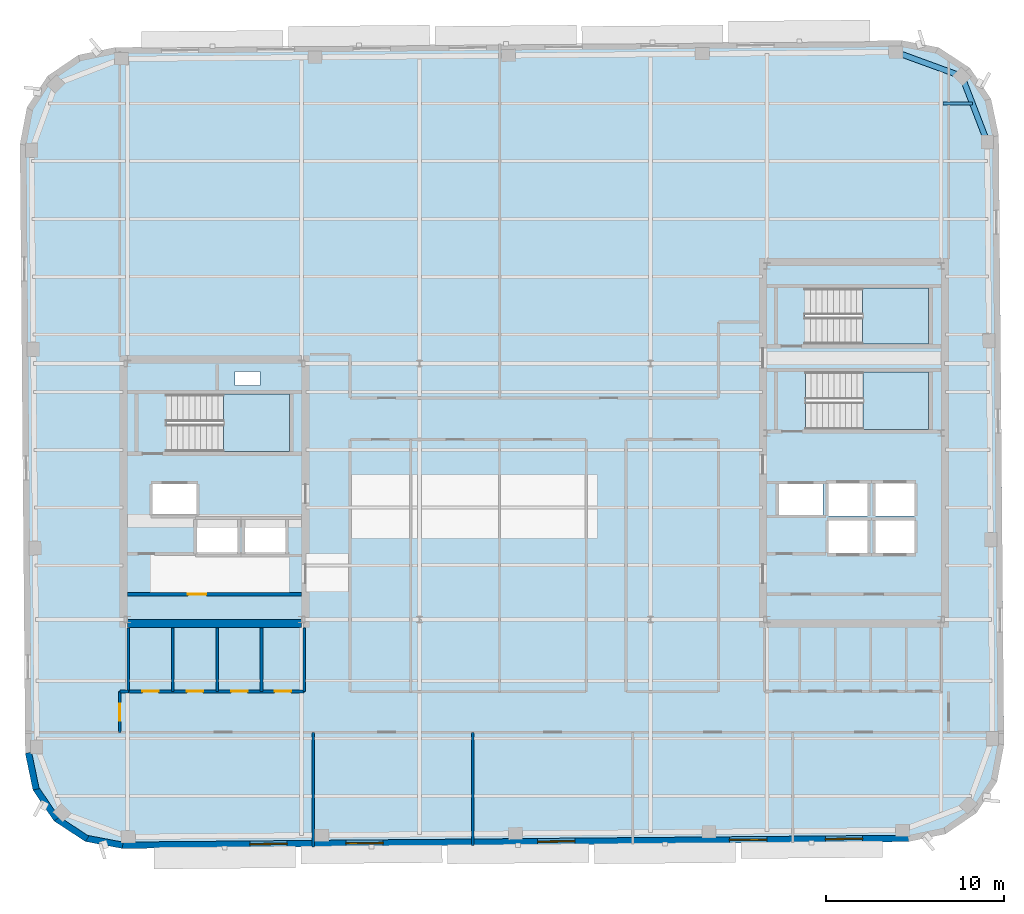
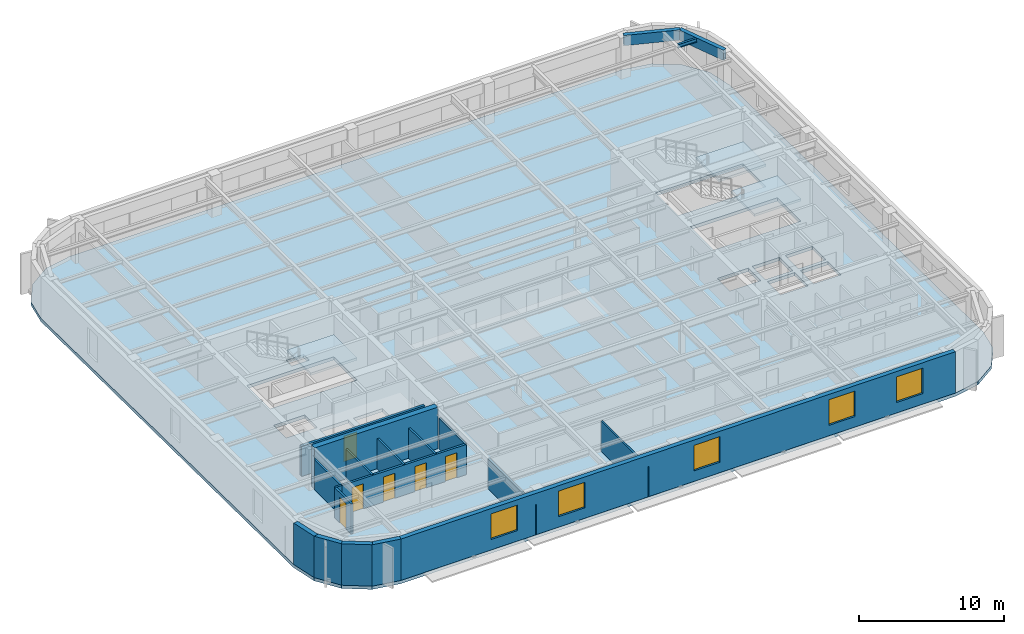
# One storey, part 6 of 15: 17 walls, 6 doors, 5 windows, 4 slabs, 3 beams, 11 openings, 3 elements without a shape of their own.
"""IFC4 building model written with IfcOpenShell, lengths in metres."""

from ifc_helpers import new_model, si_unit, direction, frame, frame_2d, origin, origin_2d, place, context, subcontext, project, spatial, polyline, rectangle, hollow_rectangle, i_section, outline, extrude, material, layer, layer_set, material_profile, profile_set, type_object, element, fill, aggregate, save


model = new_model("IFC4")

# Units and contexts
model_context = context("Model", 3, precision=1e-05, world=origin(), true_north=direction((0.0, 1.0)))
body_context = subcontext(model_context, "Body", "Model", "MODEL_VIEW")
ifc_project = project(units=[si_unit("LENGTHUNIT", "METRE"), si_unit("AREAUNIT", "SQUARE_METRE"), si_unit("VOLUMEUNIT", "CUBIC_METRE"), si_unit("PLANEANGLEUNIT", "RADIAN"), si_unit("MASSUNIT", "GRAM", prefix="KILO")], contexts=[model_context])

# Site, building, storey
site_placement = place(None, origin())
site = spatial("IfcSite", under=ifc_project, at=site_placement, CompositionType="ELEMENT")
building_placement = place(site_placement, origin())
building = spatial("IfcBuilding", under=site, at=building_placement, Name="Kolvaren Arena Tower", CompositionType="ELEMENT")
storey_placement = place(building_placement, frame((0.0, 0.0, 282.39990234375)))
storey = spatial("IfcBuildingStorey", under=building, at=storey_placement, Name="L69", CompositionType="ELEMENT", Elevation=282.39990234375)

# Beams
ifc_material_1 = material(Name="Steel CSA G40.21 350W", Category="steel")
ifc_material_profile_1 = material_profile(ifc_material_1, i_section(OverallWidth=0.1669921875, OverallDepth=0.31689453125, WebThickness=0.007568359375, FlangeThickness=0.01318359375, FilletRadius=0.010009765625, at=origin_2d()), Name="W310x52")
ifc_profile_set_1 = profile_set([ifc_material_profile_1], Name="Steel CSA G40.21 350W")
beam_type_1 = type_object("IfcBeamType", Name="JOIST-02", PredefinedType="JOIST", material=ifc_profile_set_1)
beam_placement = place(storey_placement, frame((60.464111328125, 48.5, 3.321533203125), z_axis=(1.0, 0.0, 0.0), x_axis=(0.0, 1.0, 0.0)))
element("IfcBeam", 1, at=beam_placement, inside=storey, type_object=beam_type_1, Name="Composite Floor Joist (L69)", PredefinedType="JOIST", context=body_context, shape_type="SweptSolid", body=[
    extrude(i_section(OverallWidth=0.1669921875, OverallDepth=0.31689453125, WebThickness=0.007568359375, FlangeThickness=0.01318359375, FilletRadius=0.010009765625, at=origin_2d()), origin(), (0.0, 0.0, 1.0), 1.654296875),
])
ifc_material_2 = material(Name="Steel CSA G40.21 350WT", Category="steel")
ifc_material_profile_2 = material_profile(ifc_material_2, hollow_rectangle(XDim=0.320068359375, YDim=0.860107421875, WallThickness=0.01806640625, at=origin_2d()), Name="HSS 860x320x18")
ifc_profile_set_2 = profile_set([ifc_material_profile_2], Name="Steel CSA G40.21 350WT")
beam_type_2 = type_object("IfcBeamType", Name="SPAND-02", PredefinedType="SPANDREL", material=ifc_profile_set_2)
for number, where, z_axis, x_axis, name in (
    (2, (62.952392578125, 46.333984375, 3.050048828125), (-0.359383792094, 0.933189846698, 0.0), (-0.933189846698, -0.359383792094, 0.0), "Perimeter Spandrel Beam (L69)"),
    (3, (61.52880859375, 50.030517578125, 3.050048828125), (-0.939313819882, 0.343059102458, 0.0), (-0.343059102458, -0.939313819882, 0.0), "Perimeter Spandrel Beam (L69)"),
):
    element("IfcBeam", number, at=place(storey_placement, frame(where, z_axis=z_axis, x_axis=x_axis)), inside=storey, type_object=beam_type_2, Name=name, PredefinedType="SPANDREL", context=body_context, shape_type="SweptSolid", body=[
        extrude(hollow_rectangle(XDim=0.320068359375, YDim=0.860107421875, WallThickness=0.01806640625, at=origin_2d()), origin(), (0.0, 0.0, 1.0), 3.961181640625),
    ])

# Stair, slab
ifc_material_3 = material(Name="Concrete 45 MPa", Category="concrete")
stair_type_1 = type_object("IfcStairType", Name="STAIR-CORE-165", PredefinedType="HALF_TURN_STAIR", material=ifc_material_3)
stair_1_placement = place(storey_placement, origin())
stair_1 = element("IfcStair", 4, at=stair_1_placement, inside=storey, type_object=stair_type_1, Name="L69 ST-W1", PredefinedType="HALF_TURN_STAIR")
ifc_layer_1 = layer(ifc_material_3, 0.199951171875)
ifc_layer_set_1 = layer_set([ifc_layer_1], Name="Concrete 45 MPa")
slab_type_1 = type_object("IfcSlabType", Name="SLAB-LAND", PredefinedType="LANDING", material=ifc_layer_set_1)
slab_1_placement = place(storey_placement, frame((0.0, 0.0, 1.675048828125)))
slab_1 = element("IfcSlab", 5, at=slab_1_placement, type_object=slab_type_1, Name="ST-W1 landing 1", PredefinedType="LANDING", context=body_context, shape_type="SweptSolid", body=[
    extrude(outline(polyline([(19.9599609375, 28.89990234375), (23.659912109375, 28.89990234375), (23.659912109375, 32.1298828125), (19.9599609375, 32.1298828125), (19.9599609375, 28.89990234375)])), origin(), (0.0, 0.0, 1.0), 0.199951171875),
])
aggregate(stair_1, [slab_1])

stair_2_placement = place(storey_placement, origin())
stair_2 = element("IfcStair", 6, at=stair_2_placement, inside=storey, type_object=stair_type_1, Name="L69 ST-E1", PredefinedType="HALF_TURN_STAIR")
slab_2_placement = place(storey_placement, frame((0.0, 0.0, 1.675048828125)))
slab_2 = element("IfcSlab", 7, at=slab_2_placement, type_object=slab_type_1, Name="ST-E1 landing 1", PredefinedType="LANDING", context=body_context, shape_type="SweptSolid", body=[
    extrude(outline(polyline([(55.9599609375, 30.14990234375), (59.659912109375, 30.14990234375), (59.659912109375, 33.3798828125), (55.9599609375, 33.3798828125), (55.9599609375, 30.14990234375)])), origin(), (0.0, 0.0, 1.0), 0.199951171875),
])
aggregate(stair_2, [slab_2])

stair_type_2 = type_object("IfcStairType", Name="STAIR-CORE-150", PredefinedType="HALF_TURN_STAIR", material=ifc_material_3)
stair_3_placement = place(storey_placement, origin())
stair_3 = element("IfcStair", 8, at=stair_3_placement, inside=storey, type_object=stair_type_2, Name="L69 ST-E2", PredefinedType="HALF_TURN_STAIR")
slab_3_placement = place(storey_placement, frame((0.0, 0.0, 1.675048828125)))
slab_3 = element("IfcSlab", 9, at=slab_3_placement, type_object=slab_type_1, Name="ST-E2 landing 1", PredefinedType="LANDING", context=body_context, shape_type="SweptSolid", body=[
    extrude(outline(polyline([(55.919921875, 34.949951171875), (59.659912109375, 34.949951171875), (59.659912109375, 38.10009765625), (55.919921875, 38.10009765625), (55.919921875, 34.949951171875)])), origin(), (0.0, 0.0, 1.0), 0.199951171875),
])
aggregate(stair_3, [slab_3])

# Slab
ifc_layer_2 = layer(ifc_material_3, 0.27001953125)
ifc_layer_set_2 = layer_set([ifc_layer_2], Name="Concrete 45 MPa")
slab_type_2 = type_object("IfcSlabType", Name="SLAB-OFF2", PredefinedType="FLOOR", material=ifc_layer_set_2)
slab_4_placement = place(storey_placement, frame((0.0, 0.0, -0.27001953125)))
element("IfcSlab", 10, at=slab_4_placement, inside=storey, type_object=slab_type_2, Name="L69 Primary Structural Slab", PredefinedType="FLOOR", context=body_context, shape_type="SweptSolid", body=[
    extrude(outline(polyline([(58.5458984375, 6.944091796875), (60.60888671875, 7.373291015625), (62.350341796875, 8.55908203125), (63.505615234375, 10.321044921875), (63.898681640625, 12.39111328125), (63.599365234375, 46.689697265625), (63.170166015625, 48.752685546875), (61.984375, 50.494140625), (60.222412109375, 51.6494140625), (58.15234375, 52.04248046875), (13.85400390625, 51.65576171875), (11.791259765625, 51.226806640625), (10.049560546875, 50.041015625), (8.894287109375, 48.27880859375), (8.50146484375, 46.208984375), (8.80078125, 11.91015625), (9.229736328125, 9.847412109375), (10.41552734375, 8.105712890625), (12.177490234375, 6.95068359375), (14.24755859375, 6.5576171875), (58.5458984375, 6.944091796875)]), holes=[polyline([(20.739990234375, 23.135009765625), (18.4599609375, 23.135009765625), (18.4599609375, 25.06494140625), (20.739990234375, 25.06494140625), (20.739990234375, 23.135009765625)]), polyline([(21.159912109375, 23.135009765625), (21.159912109375, 25.06494140625), (23.43994140625, 25.06494140625), (23.43994140625, 23.135009765625), (21.159912109375, 23.135009765625)]), polyline([(56.2099609375, 23.18505859375), (54.030029296875, 23.18505859375), (54.030029296875, 25.014892578125), (56.2099609375, 25.014892578125), (56.2099609375, 23.18505859375)]), polyline([(56.669921875, 23.18505859375), (56.669921875, 25.014892578125), (58.85009765625, 25.014892578125), (58.85009765625, 23.18505859375), (56.669921875, 23.18505859375)]), polyline([(54.030029296875, 25.284912109375), (54.030029296875, 27.114990234375), (56.2099609375, 27.114990234375), (56.2099609375, 25.284912109375), (54.030029296875, 25.284912109375)]), polyline([(58.85009765625, 25.284912109375), (56.669921875, 25.284912109375), (56.669921875, 27.114990234375), (58.85009765625, 27.114990234375), (58.85009765625, 25.284912109375)]), polyline([(15.9599609375, 25.3349609375), (15.9599609375, 27.06494140625), (18.43994140625, 27.06494140625), (18.43994140625, 25.3349609375), (15.9599609375, 25.3349609375)]), polyline([(53.699951171875, 25.3349609375), (51.219970703125, 25.3349609375), (51.219970703125, 27.06494140625), (53.699951171875, 27.06494140625), (53.699951171875, 25.3349609375)]), polyline([(16.735107421875, 28.89990234375), (16.735107421875, 32.1298828125), (23.659912109375, 32.1298828125), (23.659912109375, 28.89990234375), (16.735107421875, 28.89990234375)]), polyline([(52.735107421875, 30.14990234375), (52.735107421875, 33.3798828125), (59.659912109375, 33.3798828125), (59.659912109375, 30.14990234375), (52.735107421875, 30.14990234375)]), polyline([(20.60009765625, 32.6201171875), (20.60009765625, 33.39990234375), (22.0, 33.39990234375), (22.0, 32.6201171875), (20.60009765625, 32.6201171875)]), polyline([(52.695068359375, 34.949951171875), (52.695068359375, 38.10009765625), (59.659912109375, 38.10009765625), (59.659912109375, 34.949951171875), (52.695068359375, 34.949951171875)])]), origin(), (0.0, 0.0, 1.0), 0.27001953125),
])

# Wall, opening, door
ifc_material_4 = material(Name="Gypsum board acoustic assembly", Category="gypsum")
ifc_layer_3 = layer(ifc_material_4, 0.159912109375)
ifc_layer_set_3 = layer_set([ifc_layer_3], Name="Gypsum board acoustic assembly")
wall_type_1 = type_object("IfcWallType", Name="CORR-160", PredefinedType="PARTITIONING", material=ifc_layer_set_3)
wall_1_placement = place(storey_placement, frame((14.1201171875, 13.10009765625, 0.0), z_axis=(0.0, 0.0, 1.0), x_axis=(0.0, 1.0, 0.0)))
wall_1 = element("IfcWall", 11, at=wall_1_placement, inside=storey, type_object=wall_type_1, Name="Interior Partition Wall (L69)", PredefinedType="PARTITIONING", context=body_context, shape_type="SweptSolid", body=[
    extrude(rectangle(XDim=2.2998046875, YDim=0.159912109375, at=frame_2d((1.14990234375, 0.0))), origin(), (0.0, 0.0, 1.0), 2.5400390625),
])
opening_1_placement = place(wall_1_placement, frame((0.64990234375, 0.0, 0.0)))
opening_1 = element("IfcOpeningElement", 12, at=opening_1_placement, cuts=wall_1, Name="Opening D05", PredefinedType="OPENING", context=body_context, shape_type="SweptSolid", body=[
    extrude(rectangle(XDim=0.949951171875, YDim=2.14990234375, at=frame_2d((0.47509765625, 1.074951171875))), frame((0.0, 0.08984375, 0.0), z_axis=(0.0, -1.0, 0.0), x_axis=(1.0, 0.0, 0.0)), (0.0, 0.0, 1.0), 0.179931640625),
])
ifc_material_5 = material(Name="Solid-core oak acoustic office door", Category="wood")
door_type_1 = type_object("IfcDoorType", Name="DOOR-OF-095", OperationType="NOTDEFINED", PredefinedType="DOOR", material=ifc_material_5)
door_1_placement = place(opening_1_placement, origin())
door_1 = element("IfcDoor", 13, at=door_1_placement, inside=storey, type_object=door_type_1, Name="West Wing Office Door (L69)", OperationType="SINGLE_SWING_LEFT", OverallHeight=2.14990234375, OverallWidth=0.949951171875, PredefinedType="DOOR", context=body_context, shape_type="SweptSolid", body=[
    extrude(rectangle(XDim=0.949951171875, YDim=2.14990234375, at=frame_2d((0.47509765625, 1.074951171875))), frame((0.0, 0.02490234375, 0.0), z_axis=(0.0, -1.0, 0.0), x_axis=(1.0, 0.0, 0.0)), (0.0, 0.0, 1.0), 0.050048828125),
])
fill(opening_1, door_1)

# Walls
wall_2_placement = place(storey_placement, frame((14.1201171875, 15.39990234375, 0.0), z_axis=(0.0, 0.0, 1.0), x_axis=(1.0, 0.0, 0.0)))
element("IfcWall", 14, at=wall_2_placement, inside=storey, type_object=wall_type_1, Name="Interior Partition Wall (L69)", PredefinedType="PARTITIONING", context=body_context, shape_type="SweptSolid", body=[
    extrude(rectangle(XDim=0.5, YDim=0.159912109375, at=frame_2d((0.25, 0.0))), origin(), (0.0, 0.0, 1.0), 2.5400390625),
])
ifc_material_6 = material(Name="Concrete 55 MPa", Category="concrete")
ifc_layer_4 = layer(ifc_material_6, 0.449951171875)
ifc_layer_set_4 = layer_set([ifc_layer_4], Name="Concrete 55 MPa")
wall_type_2 = type_object("IfcWallType", Name="CWALL-450", PredefinedType="SHEAR", material=ifc_layer_set_4)
wall_3_placement = place(storey_placement, frame((14.550048828125, 19.22509765625, -0.27001953125), z_axis=(0.0, 0.0, 1.0), x_axis=(1.0, 0.0, 0.0)))
element("IfcWall", 15, at=wall_3_placement, inside=storey, type_object=wall_type_2, Name="Core Shear Wall WC-SOUTH (L69)", PredefinedType="SHEAR", context=body_context, shape_type="SweptSolid", body=[
    extrude(rectangle(XDim=9.800048828125, YDim=0.449951171875, at=frame_2d((4.89990234375, 0.0))), origin(), (0.0, 0.0, 1.0), 3.75),
])
ifc_material_7 = material(Name="Precast concrete C50/60", Category="concrete")
ifc_layer_5 = layer(ifc_material_7, 0.360107421875)
ifc_layer_set_5 = layer_set([ifc_layer_5], Name="Precast concrete C50/60")
wall_type_3 = type_object("IfcWallType", Name="EXT-PIER2", PredefinedType="SOLIDWALL", material=ifc_layer_set_5)
wall_4_placement = place(storey_placement, frame((9.406005859375, 9.884033203125, 0.0), z_axis=(0.0, 0.0, 1.0), x_axis=(-0.203685893209, 0.979036289883, 0.0)))
element("IfcWall", 16, at=wall_4_placement, inside=storey, type_object=wall_type_3, Name="Exterior Precast Masonry-Frame Wall (L69)", PredefinedType="SOLIDWALL", context=body_context, shape_type="SweptSolid", body=[
    extrude(rectangle(XDim=2.107177734375, YDim=0.360107421875, at=frame_2d((1.0537109375, 0.0))), origin(), (0.0, 0.0, 1.0), 3.47998046875),
])
for number, where, z_axis, x_axis, name in (
    (17, (10.564453125, 8.20703125, 0.0), (0.0, 0.0, 1.0), (-0.56277581689, 0.826609569219, 0.0), "Exterior Precast Masonry-Frame Wall (L69)"),
    (18, (12.2763671875, 7.10107421875, 0.0), (0.0, 0.0, 1.0), (-0.836268756678, 0.548319766745, 0.0), "Exterior Precast Masonry-Frame Wall (L69)"),
):
    element("IfcWall", number, at=place(storey_placement, frame(where, z_axis=z_axis, x_axis=x_axis)), inside=storey, type_object=wall_type_3, Name=name, PredefinedType="SOLIDWALL", context=body_context, shape_type="SweptSolid", body=[
        extrude(rectangle(XDim=2.10693359375, YDim=0.360107421875, at=frame_2d((1.053466796875, 0.0))), origin(), (0.0, 0.0, 1.0), 3.47998046875),
    ])
wall_5_placement = place(storey_placement, frame((14.28125, 6.734375, 0.0), z_axis=(0.0, 0.0, 1.0), x_axis=(-0.982445905584, 0.186547695246, 0.0)))
element("IfcWall", 19, at=wall_5_placement, inside=storey, type_object=wall_type_3, Name="Exterior Precast Masonry-Frame Wall (L69)", PredefinedType="SOLIDWALL", context=body_context, shape_type="SweptSolid", body=[
    extrude(rectangle(XDim=2.107177734375, YDim=0.360107421875, at=frame_2d((1.0537109375, 0.0))), origin(), (0.0, 0.0, 1.0), 3.47998046875),
])

# Wall, openings, windows
wall_6_placement = place(storey_placement, frame((58.544189453125, 7.124267578125, 0.0), z_axis=(0.0, 0.0, 1.0), x_axis=(-0.999961896442, -0.008729585516, 0.0)))
wall_6 = element("IfcWall", 20, at=wall_6_placement, inside=storey, type_object=wall_type_3, Name="Exterior Precast Masonry-Frame Wall (L69)", PredefinedType="SOLIDWALL", context=body_context, shape_type="SweptSolid", body=[
    extrude(rectangle(XDim=44.2998046875, YDim=0.360107421875, at=frame_2d((22.14990234375, 0.0))), origin(), (0.0, 0.0, 1.0), 3.47998046875),
])
opening_2_placement = place(wall_6_placement, frame((2.60009765625, 0.0, 0.8798828125)))
opening_2 = element("IfcOpeningElement", 21, at=opening_2_placement, cuts=wall_6, Name="Opening W01", PredefinedType="OPENING", context=body_context, shape_type="SweptSolid", body=[
    extrude(rectangle(XDim=2.10009765625, YDim=2.14990234375, at=frame_2d((1.050048828125, 1.074951171875))), frame((0.0, 0.18994140625, 0.0), z_axis=(0.0, -1.0, 0.0), x_axis=(1.0, 0.0, 0.0)), (0.0, 0.0, 1.0), 0.380126953125),
])
opening_3_placement = place(wall_6_placement, frame((8.0, 0.0, 0.8798828125)))
opening_3 = element("IfcOpeningElement", 22, at=opening_3_placement, cuts=wall_6, Name="Opening W01", PredefinedType="OPENING", context=body_context, shape_type="SweptSolid", body=[
    extrude(rectangle(XDim=2.10009765625, YDim=2.14990234375, at=frame_2d((1.050048828125, 1.074951171875))), frame((0.0, 0.18994140625, 0.0), z_axis=(0.0, -1.0, 0.0), x_axis=(1.0, 0.0, 0.0)), (0.0, 0.0, 1.0), 0.380126953125),
])
opening_4_placement = place(wall_6_placement, frame((18.800048828125, 0.0, 0.8798828125)))
opening_4 = element("IfcOpeningElement", 23, at=opening_4_placement, cuts=wall_6, Name="Opening W01", PredefinedType="OPENING", context=body_context, shape_type="SweptSolid", body=[
    extrude(rectangle(XDim=2.10009765625, YDim=2.14990234375, at=frame_2d((1.050048828125, 1.074951171875))), frame((0.0, 0.18994140625, 0.0), z_axis=(0.0, -1.0, 0.0), x_axis=(1.0, 0.0, 0.0)), (0.0, 0.0, 1.0), 0.380126953125),
])
opening_5_placement = place(wall_6_placement, frame((29.60009765625, 0.0, 0.8798828125)))
opening_5 = element("IfcOpeningElement", 24, at=opening_5_placement, cuts=wall_6, Name="Opening W01", PredefinedType="OPENING", context=body_context, shape_type="SweptSolid", body=[
    extrude(rectangle(XDim=2.10009765625, YDim=2.14990234375, at=frame_2d((1.050048828125, 1.074951171875))), frame((0.0, 0.18994140625, 0.0), z_axis=(0.0, -1.0, 0.0), x_axis=(1.0, 0.0, 0.0)), (0.0, 0.0, 1.0), 0.380126953125),
])
opening_6_placement = place(wall_6_placement, frame((35.0, 0.0, 0.8798828125)))
opening_6 = element("IfcOpeningElement", 25, at=opening_6_placement, cuts=wall_6, Name="Opening W01", PredefinedType="OPENING", context=body_context, shape_type="SweptSolid", body=[
    extrude(rectangle(XDim=2.10009765625, YDim=2.14990234375, at=frame_2d((1.050048828125, 1.074951171875))), frame((0.0, 0.18994140625, 0.0), z_axis=(0.0, -1.0, 0.0), x_axis=(1.0, 0.0, 0.0)), (0.0, 0.0, 1.0), 0.380126953125),
])
ifc_material_8 = material(Name="Triple-glazed low-E aluminium window", Category="aluminium")
window_type = type_object("IfcWindowType", Name="WIN-OFF-A", PartitioningType="DOUBLE_PANEL_VERTICAL", PredefinedType="WINDOW", material=ifc_material_8)
window_1_placement = place(opening_2_placement, origin())
window_1 = element("IfcWindow", 26, at=window_1_placement, inside=storey, type_object=window_type, Name="Punched Precast-Pier Window (L69)", OverallHeight=2.14990234375, OverallWidth=2.10009765625, PartitioningType="DOUBLE_PANEL_VERTICAL", PredefinedType="WINDOW", context=body_context, shape_type="SweptSolid", body=[
    extrude(rectangle(XDim=2.10009765625, YDim=2.14990234375, at=frame_2d((1.050048828125, 1.074951171875))), frame((0.0, 0.030029296875, 0.0), z_axis=(0.0, -1.0, 0.0), x_axis=(1.0, 0.0, 0.0)), (0.0, 0.0, 1.0), 0.06005859375),
])
fill(opening_2, window_1)
window_2_placement = place(opening_3_placement, origin())
window_2 = element("IfcWindow", 27, at=window_2_placement, inside=storey, type_object=window_type, Name="Punched Precast-Pier Window (L69)", OverallHeight=2.14990234375, OverallWidth=2.10009765625, PartitioningType="DOUBLE_PANEL_VERTICAL", PredefinedType="WINDOW", context=body_context, shape_type="SweptSolid", body=[
    extrude(rectangle(XDim=2.10009765625, YDim=2.14990234375, at=frame_2d((1.050048828125, 1.074951171875))), frame((0.0, 0.030029296875, 0.0), z_axis=(0.0, -1.0, 0.0), x_axis=(1.0, 0.0, 0.0)), (0.0, 0.0, 1.0), 0.06005859375),
])
fill(opening_3, window_2)
window_3_placement = place(opening_4_placement, origin())
window_3 = element("IfcWindow", 28, at=window_3_placement, inside=storey, type_object=window_type, Name="Punched Precast-Pier Window (L69)", OverallHeight=2.14990234375, OverallWidth=2.10009765625, PartitioningType="DOUBLE_PANEL_VERTICAL", PredefinedType="WINDOW", context=body_context, shape_type="SweptSolid", body=[
    extrude(rectangle(XDim=2.10009765625, YDim=2.14990234375, at=frame_2d((1.050048828125, 1.074951171875))), frame((0.0, 0.030029296875, 0.0), z_axis=(0.0, -1.0, 0.0), x_axis=(1.0, 0.0, 0.0)), (0.0, 0.0, 1.0), 0.06005859375),
])
fill(opening_4, window_3)
window_4_placement = place(opening_5_placement, origin())
window_4 = element("IfcWindow", 29, at=window_4_placement, inside=storey, type_object=window_type, Name="Punched Precast-Pier Window (L69)", OverallHeight=2.14990234375, OverallWidth=2.10009765625, PartitioningType="DOUBLE_PANEL_VERTICAL", PredefinedType="WINDOW", context=body_context, shape_type="SweptSolid", body=[
    extrude(rectangle(XDim=2.10009765625, YDim=2.14990234375, at=frame_2d((1.050048828125, 1.074951171875))), frame((0.0, 0.030029296875, 0.0), z_axis=(0.0, -1.0, 0.0), x_axis=(1.0, 0.0, 0.0)), (0.0, 0.0, 1.0), 0.06005859375),
])
fill(opening_5, window_4)
window_5_placement = place(opening_6_placement, origin())
window_5 = element("IfcWindow", 30, at=window_5_placement, inside=storey, type_object=window_type, Name="Punched Precast-Pier Window (L69)", OverallHeight=2.14990234375, OverallWidth=2.10009765625, PartitioningType="DOUBLE_PANEL_VERTICAL", PredefinedType="WINDOW", context=body_context, shape_type="SweptSolid", body=[
    extrude(rectangle(XDim=2.10009765625, YDim=2.14990234375, at=frame_2d((1.050048828125, 1.074951171875))), frame((0.0, 0.030029296875, 0.0), z_axis=(0.0, -1.0, 0.0), x_axis=(1.0, 0.0, 0.0)), (0.0, 0.0, 1.0), 0.06005859375),
])
fill(opening_6, window_5)

# Wall, opening, door
ifc_material_9 = material(Name="Concrete 40 MPa", Category="concrete")
ifc_layer_6 = layer(ifc_material_9, 0.199951171875)
ifc_layer_set_6 = layer_set([ifc_layer_6], Name="Concrete 40 MPa")
wall_type_4 = type_object("IfcWallType", Name="LOBBY-200", PredefinedType="SOLIDWALL", material=ifc_layer_set_6)
wall_7_placement = place(storey_placement, frame((14.550048828125, 20.8798828125, 0.0), z_axis=(0.0, 0.0, 1.0), x_axis=(1.0, 0.0, 0.0)))
wall_7 = element("IfcWall", 31, at=wall_7_placement, inside=storey, type_object=wall_type_4, Name="Core Shaft Wall (L69)", PredefinedType="SOLIDWALL", context=body_context, shape_type="SweptSolid", body=[
    extrude(rectangle(XDim=9.800048828125, YDim=0.199951171875, at=frame_2d((4.89990234375, 0.0))), origin(), (0.0, 0.0, 1.0), 2.5400390625),
])
opening_7_placement = place(wall_7_placement, frame((3.39990234375, 0.0, 0.0)))
opening_7 = element("IfcOpeningElement", 32, at=opening_7_placement, cuts=wall_7, Name="Opening D04", PredefinedType="OPENING", context=body_context, shape_type="SweptSolid", body=[
    extrude(rectangle(XDim=1.050048828125, YDim=2.14990234375, at=frame_2d((0.52490234375, 1.074951171875))), frame((0.0, 0.10986328125, 0.0), z_axis=(0.0, -1.0, 0.0), x_axis=(1.0, 0.0, 0.0)), (0.0, 0.0, 1.0), 0.219970703125),
])
ifc_material_10 = material(Name="Fire-rated steel lobby door", Category="steel")
door_type_2 = type_object("IfcDoorType", Name="DOOR-FF-105", OperationType="NOTDEFINED", PredefinedType="DOOR", material=ifc_material_10)
door_2_placement = place(opening_7_placement, origin())
door_2 = element("IfcDoor", 33, at=door_2_placement, inside=storey, type_object=door_type_2, Name="West IT Room Fire Door (L69)", OperationType="SINGLE_SWING_LEFT", OverallHeight=2.14990234375, OverallWidth=1.050048828125, PredefinedType="DOOR", context=body_context, shape_type="SweptSolid", body=[
    extrude(rectangle(XDim=1.050048828125, YDim=2.14990234375, at=frame_2d((0.52490234375, 1.074951171875))), frame((0.0, 0.02490234375, 0.0), z_axis=(0.0, -1.0, 0.0), x_axis=(1.0, 0.0, 0.0)), (0.0, 0.0, 1.0), 0.050048828125),
])
fill(opening_7, door_2)

# Walls
ifc_material_11 = material(Name="Gypsum board partition assembly", Category="gypsum")
ifc_layer_7 = layer(ifc_material_11, 0.135009765625)
ifc_layer_set_7 = layer_set([ifc_layer_7], Name="Gypsum board partition assembly")
wall_type_5 = type_object("IfcWallType", Name="PART-135", PredefinedType="PARTITIONING", material=ifc_layer_set_7)
wall_8_placement = place(storey_placement, frame((25.0, 6.6513671875, 0.0), z_axis=(0.0, 0.0, 1.0), x_axis=(0.0, 1.0, 0.0)))
element("IfcWall", 34, at=wall_8_placement, inside=storey, type_object=wall_type_5, Name="Interior Partition Wall (L69)", PredefinedType="PARTITIONING", context=body_context, shape_type="SweptSolid", body=[
    extrude(rectangle(XDim=6.44873046875, YDim=0.135009765625, at=frame_2d((3.224365234375, 0.0))), origin(), (0.0, 0.0, 1.0), 2.5400390625),
])
wall_9_placement = place(storey_placement, frame((34.0, 6.72998046875, 0.0), z_axis=(0.0, 0.0, 1.0), x_axis=(0.0, 1.0, 0.0)))
element("IfcWall", 35, at=wall_9_placement, inside=storey, type_object=wall_type_5, Name="Interior Partition Wall (L69)", PredefinedType="PARTITIONING", context=body_context, shape_type="SweptSolid", body=[
    extrude(rectangle(XDim=6.3701171875, YDim=0.135009765625, at=frame_2d((3.18505859375, 0.0))), origin(), (0.0, 0.0, 1.0), 2.5400390625),
])
ifc_material_12 = material(Name="Moisture-resistant gypsum assembly", Category="gypsum")
ifc_layer_8 = layer(ifc_material_12, 0.14990234375)
ifc_layer_set_8 = layer_set([ifc_layer_8], Name="Moisture-resistant gypsum assembly")
wall_type_6 = type_object("IfcWallType", Name="WETW-150", PredefinedType="PARTITIONING", material=ifc_layer_set_8)
for number, where, z_axis, x_axis, name in (
    (36, (17.10009765625, 15.39990234375, 0.0), (0.0, 0.0, 1.0), (0.0, 1.0, 0.0), "Interior Partition Wall (L69)"),
    (37, (19.60009765625, 15.39990234375, 0.0), (0.0, 0.0, 1.0), (0.0, 1.0, 0.0), "Interior Partition Wall (L69)"),
    (38, (22.10009765625, 15.39990234375, 0.0), (0.0, 0.0, 1.0), (0.0, 1.0, 0.0), "Interior Partition Wall (L69)"),
):
    element("IfcWall", number, at=place(storey_placement, frame(where, z_axis=z_axis, x_axis=x_axis)), inside=storey, type_object=wall_type_6, Name=name, PredefinedType="PARTITIONING", context=body_context, shape_type="SweptSolid", body=[
        extrude(rectangle(XDim=3.580078125, YDim=0.14990234375, at=frame_2d((1.7900390625, 0.0))), origin(), (0.0, 0.0, 1.0), 2.5400390625),
    ])

# Wall, openings, doors
wall_10_placement = place(storey_placement, frame((14.60009765625, 15.39990234375, 0.0), z_axis=(0.0, 0.0, 1.0), x_axis=(1.0, 0.0, 0.0)))
wall_10 = element("IfcWall", 39, at=wall_10_placement, inside=storey, type_object=wall_type_6, Name="Interior Partition Wall (L69)", PredefinedType="PARTITIONING", context=body_context, shape_type="SweptSolid", body=[
    extrude(rectangle(XDim=9.89990234375, YDim=0.179931640625, at=frame_2d((4.949951171875, 0.0))), origin(), (0.0, 0.0, 1.0), 2.5400390625),
])
opening_8_placement = place(wall_10_placement, frame((0.7900390625, 0.0, 0.0)))
opening_8 = element("IfcOpeningElement", 40, at=opening_8_placement, cuts=wall_10, Name="Opening D07", PredefinedType="OPENING", context=body_context, shape_type="SweptSolid", body=[
    extrude(rectangle(XDim=0.919921875, YDim=2.10009765625, at=frame_2d((0.4599609375, 1.050048828125))), frame((0.0, 0.099853515625, 0.0), z_axis=(0.0, -1.0, 0.0), x_axis=(1.0, 0.0, 0.0)), (0.0, 0.0, 1.0), 0.199951171875),
])
opening_9_placement = place(wall_10_placement, frame((3.2900390625, 0.0, 0.0)))
opening_9 = element("IfcOpeningElement", 41, at=opening_9_placement, cuts=wall_10, Name="Opening D07", PredefinedType="OPENING", context=body_context, shape_type="SweptSolid", body=[
    extrude(rectangle(XDim=0.919921875, YDim=2.10009765625, at=frame_2d((0.4599609375, 1.050048828125))), frame((0.0, 0.099853515625, 0.0), z_axis=(0.0, -1.0, 0.0), x_axis=(1.0, 0.0, 0.0)), (0.0, 0.0, 1.0), 0.199951171875),
])
opening_10_placement = place(wall_10_placement, frame((5.7900390625, 0.0, 0.0)))
opening_10 = element("IfcOpeningElement", 42, at=opening_10_placement, cuts=wall_10, Name="Opening D07", PredefinedType="OPENING", context=body_context, shape_type="SweptSolid", body=[
    extrude(rectangle(XDim=0.919921875, YDim=2.10009765625, at=frame_2d((0.4599609375, 1.050048828125))), frame((0.0, 0.099853515625, 0.0), z_axis=(0.0, -1.0, 0.0), x_axis=(1.0, 0.0, 0.0)), (0.0, 0.0, 1.0), 0.199951171875),
])
opening_11_placement = place(wall_10_placement, frame((8.239990234375, 0.0, 0.0)))
opening_11 = element("IfcOpeningElement", 43, at=opening_11_placement, cuts=wall_10, Name="Opening D07", PredefinedType="OPENING", context=body_context, shape_type="SweptSolid", body=[
    extrude(rectangle(XDim=0.919921875, YDim=2.10009765625, at=frame_2d((0.4599609375, 1.050048828125))), frame((0.0, 0.099853515625, 0.0), z_axis=(0.0, -1.0, 0.0), x_axis=(1.0, 0.0, 0.0)), (0.0, 0.0, 1.0), 0.199951171875),
])
ifc_material_13 = material(Name="Laminate universal washroom door", Category="wood")
door_type_3 = type_object("IfcDoorType", Name="DOOR-WC-092", OperationType="NOTDEFINED", PredefinedType="DOOR", material=ifc_material_13)
door_3_placement = place(opening_8_placement, origin())
door_3 = element("IfcDoor", 44, at=door_3_placement, inside=storey, type_object=door_type_3, Name="Women Restroom Door (L69)", OperationType="SINGLE_SWING_LEFT", OverallHeight=2.10009765625, OverallWidth=0.919921875, PredefinedType="DOOR", context=body_context, shape_type="SweptSolid", body=[
    extrude(rectangle(XDim=0.919921875, YDim=2.10009765625, at=frame_2d((0.4599609375, 1.050048828125))), frame((0.0, 0.02490234375, 0.0), z_axis=(0.0, -1.0, 0.0), x_axis=(1.0, 0.0, 0.0)), (0.0, 0.0, 1.0), 0.050048828125),
])
fill(opening_8, door_3)
door_4_placement = place(opening_9_placement, origin())
door_4 = element("IfcDoor", 45, at=door_4_placement, inside=storey, type_object=door_type_3, Name="Men Restroom Door (L69)", OperationType="SINGLE_SWING_RIGHT", OverallHeight=2.10009765625, OverallWidth=0.919921875, PredefinedType="DOOR", context=body_context, shape_type="SweptSolid", body=[
    extrude(rectangle(XDim=0.919921875, YDim=2.10009765625, at=frame_2d((0.4599609375, 1.050048828125))), frame((0.0, 0.02490234375, 0.0), z_axis=(0.0, -1.0, 0.0), x_axis=(1.0, 0.0, 0.0)), (0.0, 0.0, 1.0), 0.050048828125),
])
fill(opening_9, door_4)
door_5_placement = place(opening_10_placement, origin())
door_5 = element("IfcDoor", 46, at=door_5_placement, inside=storey, type_object=door_type_3, Name="Universal Barrier-Free Washroom Door (L69)", OperationType="SINGLE_SWING_LEFT", OverallHeight=2.10009765625, OverallWidth=0.919921875, PredefinedType="DOOR", context=body_context, shape_type="SweptSolid", body=[
    extrude(rectangle(XDim=0.919921875, YDim=2.10009765625, at=frame_2d((0.4599609375, 1.050048828125))), frame((0.0, 0.02490234375, 0.0), z_axis=(0.0, -1.0, 0.0), x_axis=(1.0, 0.0, 0.0)), (0.0, 0.0, 1.0), 0.050048828125),
])
fill(opening_10, door_5)
door_6_placement = place(opening_11_placement, origin())
door_6 = element("IfcDoor", 47, at=door_6_placement, inside=storey, type_object=door_type_3, Name="Linen Store Door (L69)", OperationType="SINGLE_SWING_RIGHT", OverallHeight=2.10009765625, OverallWidth=0.919921875, PredefinedType="DOOR", context=body_context, shape_type="SweptSolid", body=[
    extrude(rectangle(XDim=0.919921875, YDim=2.10009765625, at=frame_2d((0.4599609375, 1.050048828125))), frame((0.0, 0.02490234375, 0.0), z_axis=(0.0, -1.0, 0.0), x_axis=(1.0, 0.0, 0.0)), (0.0, 0.0, 1.0), 0.050048828125),
])
fill(opening_11, door_6)

# Walls
for number, where, z_axis, x_axis, name in (
    (48, (14.60009765625, 15.39990234375, 0.0), (0.0, 0.0, 1.0), (0.0, 1.0, 0.0), "Interior Partition Wall (L69)"),
    (49, (24.5, 15.39990234375, 0.0), (0.0, 0.0, 1.0), (0.0, 1.0, 0.0), "Interior Partition Wall (L69)"),
):
    element("IfcWall", number, at=place(storey_placement, frame(where, z_axis=z_axis, x_axis=x_axis)), inside=storey, type_object=wall_type_6, Name=name, PredefinedType="PARTITIONING", context=body_context, shape_type="SweptSolid", body=[
        extrude(rectangle(XDim=3.580078125, YDim=0.14990234375, at=frame_2d((1.7900390625, 0.0))), origin(), (0.0, 0.0, 1.0), 2.5400390625),
    ])

save(model, "model.ifc")
